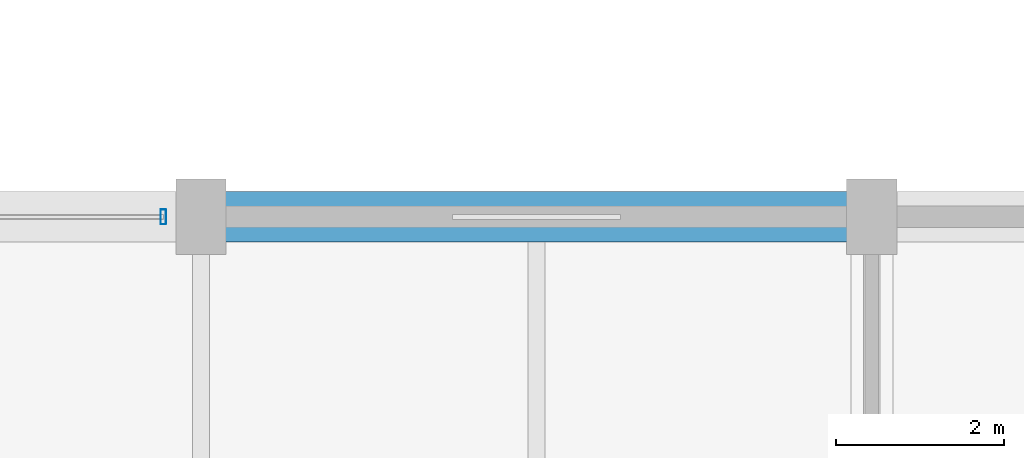
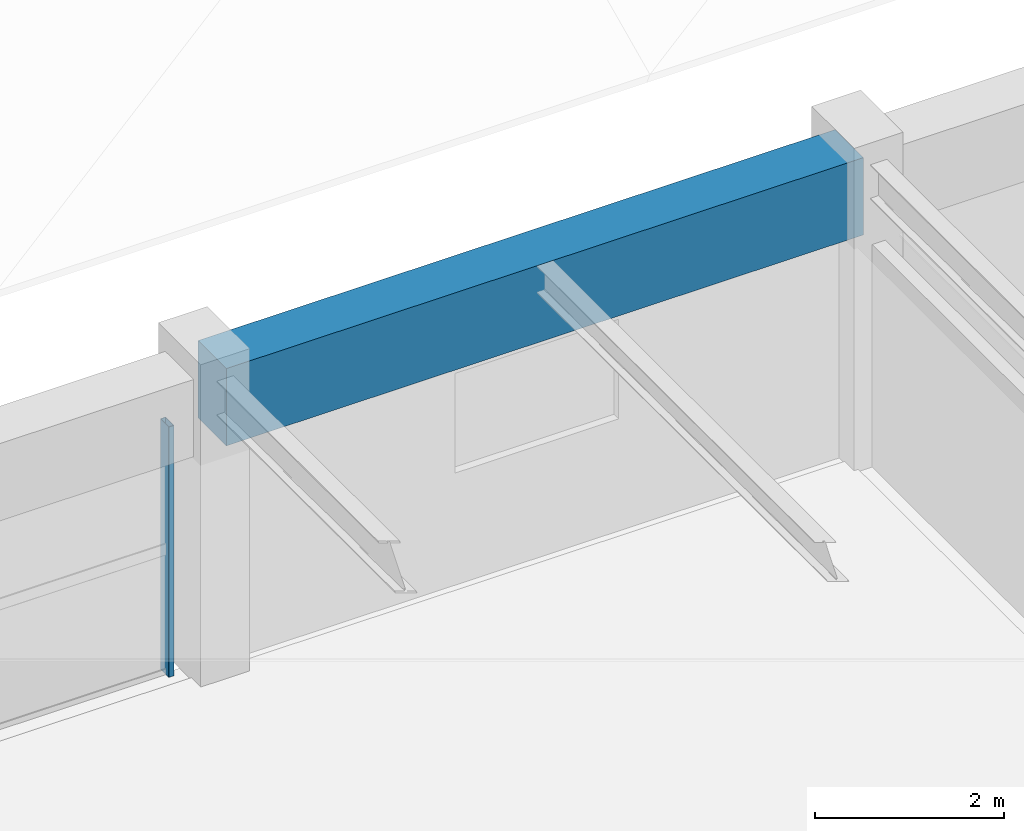
# One storey, part 30 of 126: 1 beam, 1 member, 1 element without a shape of its own.
"""IFC4 building model written with IfcOpenShell, lengths in metres."""

from ifc_helpers import new_model, si_unit, direction, frame, origin, origin_2d, place, context, subcontext, project, spatial, rectangle, hollow_rectangle, extrude, material, material_profile, profile_set, type_object, element, aggregate, save


model = new_model("IFC4")

# Units and contexts
model_context = context("Model", 3, precision=1e-05, world=origin(), true_north=direction((0.0, 1.0)))
body_context = subcontext(model_context, "Body", "Model", "MODEL_VIEW")
ifc_project = project(units=[si_unit("LENGTHUNIT", "METRE"), si_unit("AREAUNIT", "SQUARE_METRE"), si_unit("VOLUMEUNIT", "CUBIC_METRE"), si_unit("PLANEANGLEUNIT", "RADIAN"), si_unit("MASSUNIT", "GRAM", prefix="KILO")], contexts=[model_context])

# Site, building, storey
site_placement = place(None, origin())
site = spatial("IfcSite", under=ifc_project, at=site_placement, CompositionType="ELEMENT")
building_placement = place(site_placement, origin())
building = spatial("IfcBuilding", under=site, at=building_placement, Name="Varnabhumi Central Station", CompositionType="ELEMENT")
storey_placement = place(building_placement, frame((0.0, 0.0, 16.199951171875)))
storey = spatial("IfcBuildingStorey", under=building, at=storey_placement, Name="L03", CompositionType="ELEMENT", Elevation=16.199951171875)

# Beam
ifc_material_1 = material(Name="Concrete M50", Category="concrete")
ifc_material_profile_1 = material_profile(ifc_material_1, rectangle(XDim=0.60009765625, YDim=1.0, at=origin_2d()), Name="Concrete M50", Category="concrete")
ifc_profile_set_1 = profile_set([ifc_material_profile_1], Name="Concrete M50")
beam_type = type_object("IfcBeamType", Name="BM-RC-600x1000", PredefinedType="BEAM", material=ifc_profile_set_1)
beam_placement = place(storey_placement, frame((88.10009765625, 36.0, 3.420166015625), z_axis=(1.0, 0.0, 0.0), x_axis=(0.0, 1.0, 0.0)))
element("IfcBeam", 1, at=beam_placement, inside=storey, type_object=beam_type, Name="Beam L03-E:12-13", PredefinedType="BEAM", context=body_context, shape_type="SweptSolid", body=[
    extrude(rectangle(XDim=0.60009765625, YDim=1.0, at=origin_2d()), origin(), (0.0, 0.0, 1.0), 7.7998046875),
])

# Curtain wall, member
ifc_material_2 = material(Name="Anodised aluminium 6063-T6", Category="aluminium")
curtain_wall_type = type_object("IfcCurtainWallType", Name="CW-SPINE-SCREEN-L0", PredefinedType="NOTDEFINED", material=ifc_material_2)
curtain_wall_placement = place(storey_placement, origin())
curtain_wall = element("IfcCurtainWall", 2, at=curtain_wall_placement, inside=storey, type_object=curtain_wall_type, Name="Curtain Wall CW-SS306", PredefinedType="NOTDEFINED")
ifc_material_profile_2 = material_profile(ifc_material_2, hollow_rectangle(XDim=0.06494140625, YDim=0.179931640625, WallThickness=0.00390625, InnerFilletRadius=0.001953125, OuterFilletRadius=0.006103515625, at=origin_2d()), Name="Anodised aluminium 6063-T6", Category="aluminium")
ifc_profile_set_2 = profile_set([ifc_material_profile_2], Name="Anodised aluminium 6063-T6")
member_type = type_object("IfcMemberType", Name="CW-MUL-180", PredefinedType="MULLION", material=ifc_profile_set_2)
member_placement = place(storey_placement, frame((87.550048828125, 36.0, 0.0), z_axis=(0.0, 0.0, 1.0), x_axis=(1.0, 0.0, 0.0)))
member = element("IfcMember", 3, at=member_placement, type_object=member_type, Name="Curtain Wall Mullion CW-SS306-M4", PredefinedType="MULLION", context=body_context, shape_type="SweptSolid", body=[
    extrude(hollow_rectangle(XDim=0.06494140625, YDim=0.179931640625, WallThickness=0.00390625, InnerFilletRadius=0.001953125, OuterFilletRadius=0.006103515625, at=origin_2d()), origin(), (0.0, 0.0, 1.0), 3.239990234375),
])
aggregate(curtain_wall, [member])

save(model, "model.ifc")
